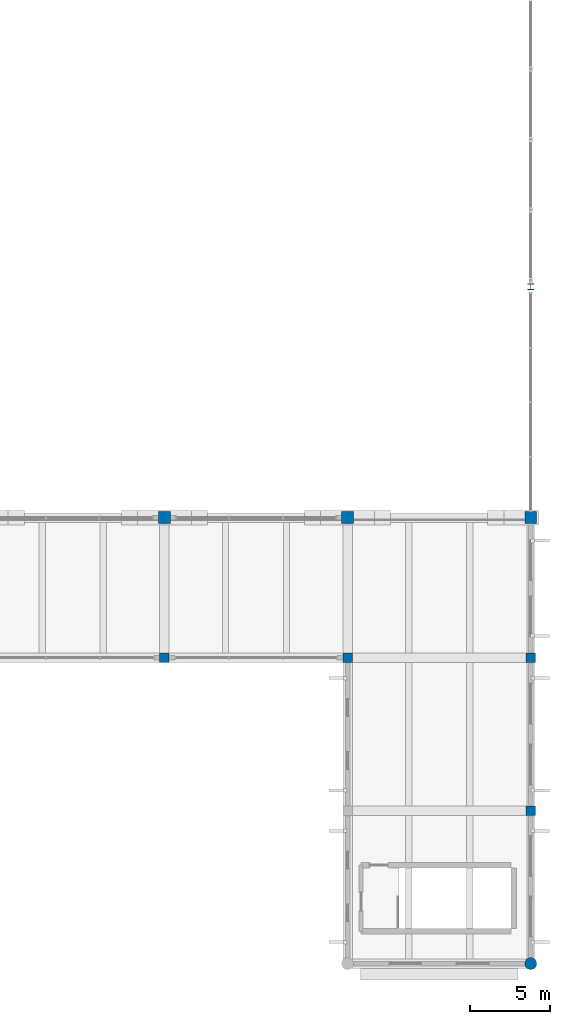
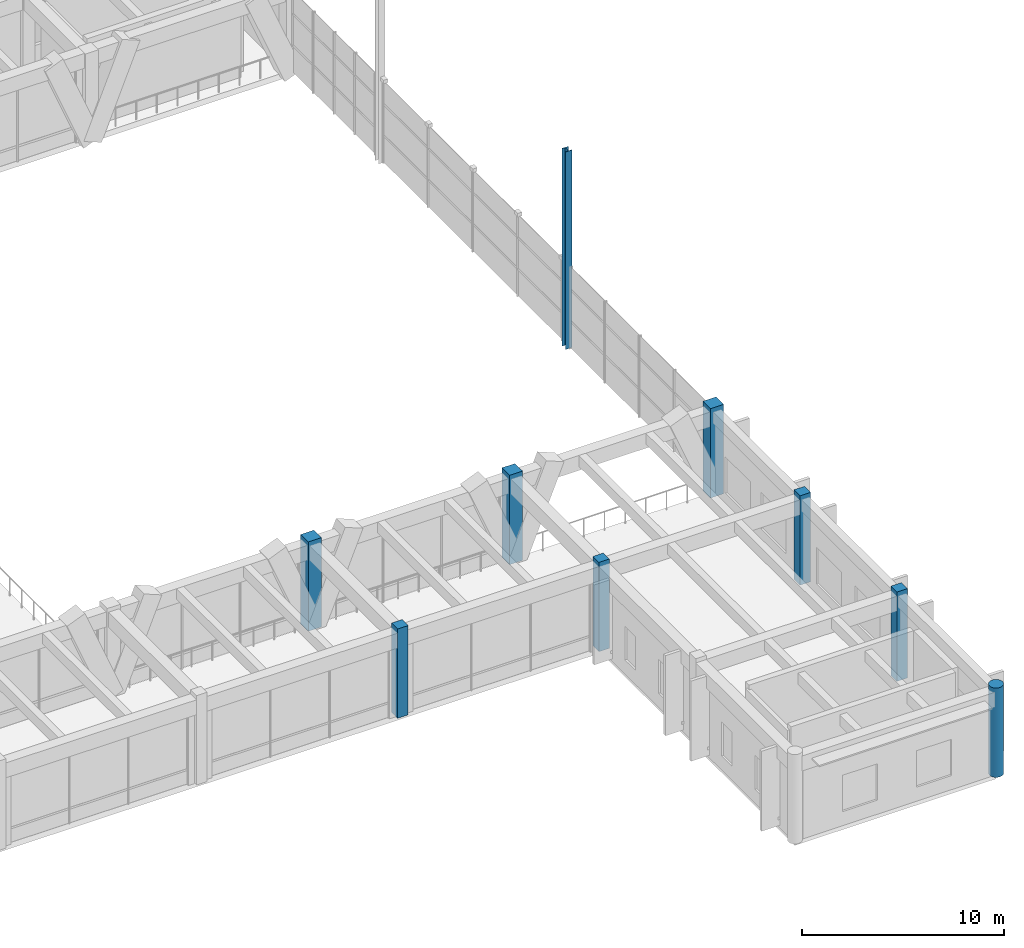
# One storey, part 4 of 148: 9 columns.
"""IFC4 building model written with IfcOpenShell, lengths in metres."""

from ifc_helpers import new_model, si_unit, direction, frame, origin, origin_2d, place, context, subcontext, project, spatial, rectangle, circle, i_section, extrude, material, material_profile, profile_set, type_object, element, save


model = new_model("IFC4")

# Units and contexts
model_context = context("Model", 3, precision=1e-05, world=origin(), true_north=direction((0.0, 1.0)))
body_context = subcontext(model_context, "Body", "Model", "MODEL_VIEW")
ifc_project = project(units=[si_unit("LENGTHUNIT", "METRE"), si_unit("AREAUNIT", "SQUARE_METRE"), si_unit("VOLUMEUNIT", "CUBIC_METRE"), si_unit("PLANEANGLEUNIT", "RADIAN"), si_unit("MASSUNIT", "GRAM", prefix="KILO")], contexts=[model_context])

# Site, building, storey
site_placement = place(None, origin())
site = spatial("IfcSite", under=ifc_project, at=site_placement, CompositionType="ELEMENT")
building_placement = place(site_placement, origin())
building = spatial("IfcBuilding", under=site, at=building_placement, Name="Ologun Quay Terminus", CompositionType="ELEMENT")
storey_placement = place(building_placement, frame((0.0, 0.0, 8.39990234375)))
storey = spatial("IfcBuildingStorey", under=building, at=storey_placement, Name="L02", CompositionType="ELEMENT", Elevation=8.39990234375)

# Columns
ifc_material_1 = material(Name="Steel S355", Category="steel")
ifc_material_profile_1 = material_profile(ifc_material_1, i_section(OverallWidth=0.37060546875, OverallDepth=0.362060546875, WebThickness=0.01220703125, FlangeThickness=0.020751953125, at=origin_2d()), Name="UKC 356x368x153")
ifc_profile_set_1 = profile_set([ifc_material_profile_1], Name="Steel S355")
column_type_1 = type_object("IfcColumnType", Name="Gable Steel Wind Post UKC356", PredefinedType="COLUMN", material=ifc_profile_set_1)
column_1_placement = place(storey_placement, frame((184.0, 50.5, 0.0), z_axis=(0.0, 0.0, 1.0), x_axis=(1.0, 0.0, 0.0)))
element("IfcColumn", 1, at=column_1_placement, inside=storey, type_object=column_type_1, Name="C11 Gable Wind Post 17-Y50 L02", PredefinedType="COLUMN", context=body_context, shape_type="SweptSolid", body=[
    extrude(i_section(OverallWidth=0.37060546875, OverallDepth=0.362060546875, WebThickness=0.01220703125, FlangeThickness=0.020751953125, at=origin_2d()), origin(), (0.0, 0.0, 1.0), 11.946533203125),
])
ifc_material_2 = material(Name="Concrete C40/50", Category="concrete")
ifc_material_profile_2 = material_profile(ifc_material_2, rectangle(XDim=0.60009765625, YDim=0.60009765625, at=origin_2d()), Name="RC 600x600")
ifc_profile_set_2 = profile_set([ifc_material_profile_2], Name="Concrete C40/50")
column_type_2 = type_object("IfcColumnType", Name="Podium Retail Column 600x600", PredefinedType="COLUMN", material=ifc_profile_set_2)
for number, where, z_axis, x_axis, name in (
    (2, (161.0, 27.199951171875, 0.0), (0.0, 0.0, 1.0), (1.0, 0.0, 0.0), "C7 Column 15/D L02"),
    (3, (172.5, 27.199951171875, 0.0), (0.0, 0.0, 1.0), (1.0, 0.0, 0.0), "C7 Column 16/D L02"),
    (4, (184.0, 17.60009765625, 0.0), (0.0, 0.0, 1.0), (1.0, 0.0, 0.0), "C7 Column 17/C L02"),
    (5, (184.0, 27.199951171875, 0.0), (0.0, 0.0, 1.0), (1.0, 0.0, 0.0), "C7 Column 17/D L02"),
):
    element("IfcColumn", number, at=place(storey_placement, frame(where, z_axis=z_axis, x_axis=x_axis)), inside=storey, type_object=column_type_2, Name=name, PredefinedType="COLUMN", context=body_context, shape_type="SweptSolid", body=[
        extrude(rectangle(XDim=0.60009765625, YDim=0.60009765625, at=origin_2d()), origin(), (0.0, 0.0, 1.0), 5.400146484375),
    ])
ifc_material_3 = material(Name="Concrete C40/50", Category="concrete")
ifc_material_profile_3 = material_profile(ifc_material_3, circle(Radius=0.375, at=origin_2d()), Name="RC D750")
ifc_profile_set_3 = profile_set([ifc_material_profile_3], Name="Concrete C40/50")
column_type_3 = type_object("IfcColumnType", Name="Promenade Colonnade Circular Column D750", PredefinedType="COLUMN", material=ifc_profile_set_3)
column_2_placement = place(storey_placement, frame((184.0, 8.0, 0.0), z_axis=(0.0, 0.0, 1.0), x_axis=(1.0, 0.0, 0.0)))
element("IfcColumn", 6, at=column_2_placement, inside=storey, type_object=column_type_3, Name="C10 Column 17/B L02", PredefinedType="COLUMN", context=body_context, shape_type="SweptSolid", body=[
    extrude(circle(Radius=0.375, at=origin_2d()), origin(), (0.0, 0.0, 1.0), 5.400146484375),
])
ifc_material_4 = material(Name="Concrete C45/55", Category="concrete")
ifc_material_profile_4 = material_profile(ifc_material_4, rectangle(XDim=0.75, YDim=0.75, at=origin_2d()), Name="RC 750x750")
ifc_profile_set_4 = profile_set([ifc_material_profile_4], Name="Concrete C45/55")
column_type_4 = type_object("IfcColumnType", Name="Station Arch Pier Stem 750x750", PredefinedType="COLUMN", material=ifc_profile_set_4)
for number, where, z_axis, x_axis, name in (
    (7, (161.0, 36.0, 0.0), (0.0, 0.0, 1.0), (1.0, 0.0, 0.0), "C5 Column 15/E L02"),
    (8, (172.5, 36.0, 0.0), (0.0, 0.0, 1.0), (1.0, 0.0, 0.0), "C5 Column 16/E L02"),
    (9, (184.0, 36.0, 0.0), (0.0, 0.0, 1.0), (1.0, 0.0, 0.0), "C5 Column 17/E L02"),
):
    element("IfcColumn", number, at=place(storey_placement, frame(where, z_axis=z_axis, x_axis=x_axis)), inside=storey, type_object=column_type_4, Name=name, PredefinedType="COLUMN", context=body_context, shape_type="SweptSolid", body=[
        extrude(rectangle(XDim=0.75, YDim=0.75, at=origin_2d()), origin(), (0.0, 0.0, 1.0), 5.400146484375),
    ])

save(model, "model.ifc")
